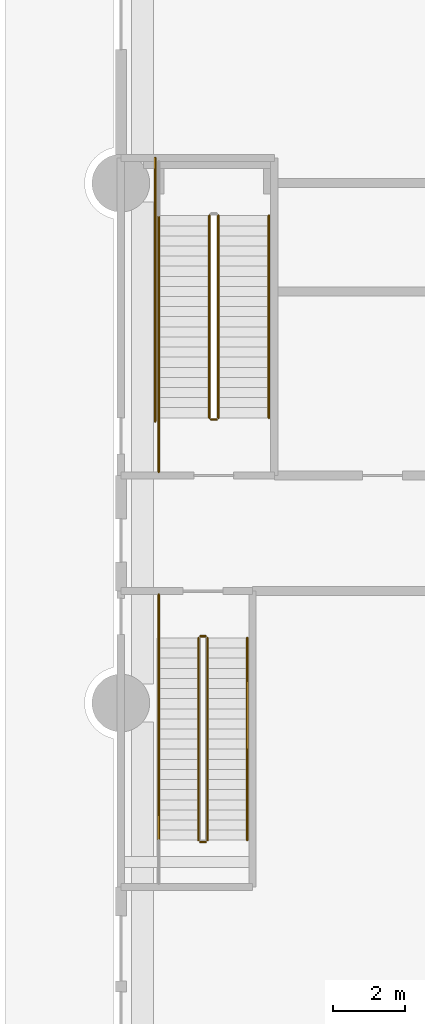
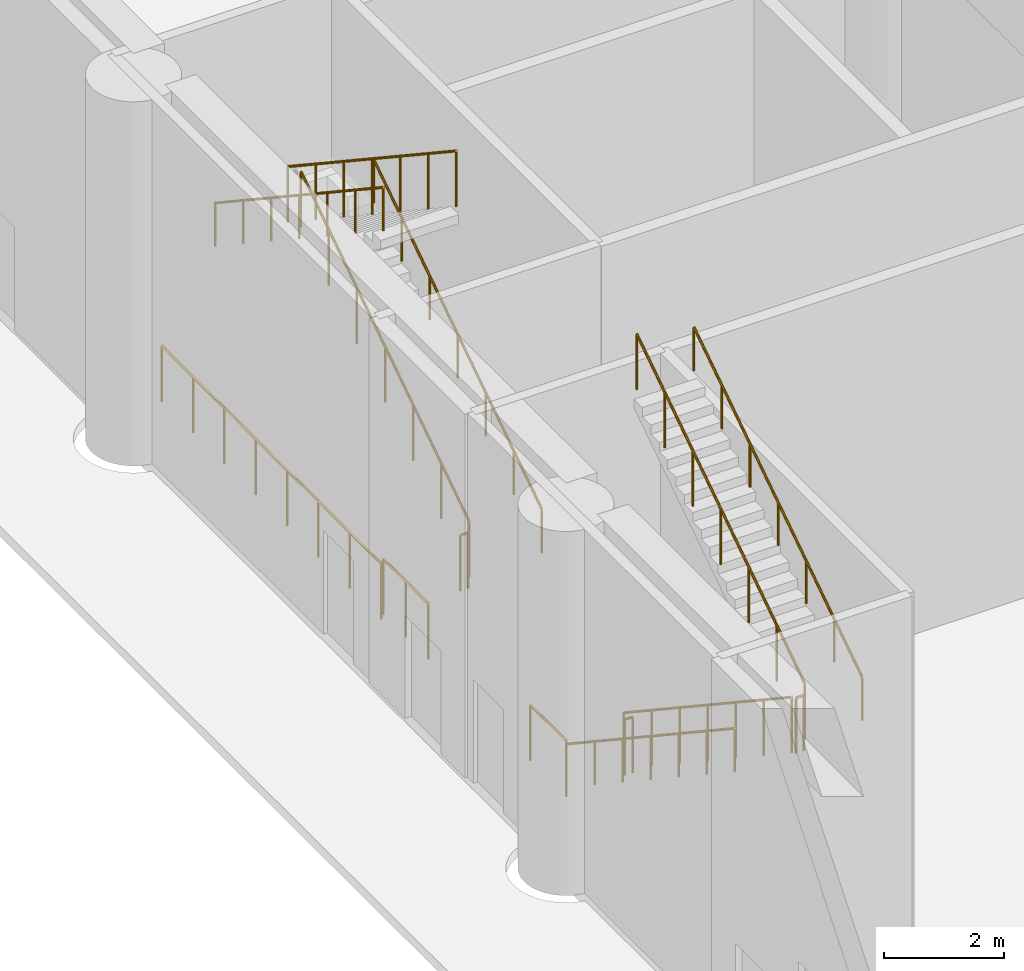
# One storey, part 26 of 32: 14 railings.
"""IFC4 building model written with IfcOpenShell, lengths in metres."""

from ifc_helpers import new_model, si_unit, direction, frame, origin, origin_2d, place, context, subcontext, project, spatial, circle, extrude, material, type_object, element, save


model = new_model("IFC4")

# Units and contexts
model_context = context("Model", 3, precision=1e-05, world=origin(), true_north=direction((0.0, 1.0)))
body_context = subcontext(model_context, "Body", "Model", "MODEL_VIEW")
ifc_project = project(units=[si_unit("LENGTHUNIT", "METRE"), si_unit("AREAUNIT", "SQUARE_METRE"), si_unit("VOLUMEUNIT", "CUBIC_METRE"), si_unit("PLANEANGLEUNIT", "RADIAN"), si_unit("MASSUNIT", "GRAM", prefix="KILO")], contexts=[model_context])

# Site, building, storey
site_placement = place(None, origin())
site = spatial("IfcSite", under=ifc_project, at=site_placement, CompositionType="ELEMENT")
building_placement = place(site_placement, origin())
building = spatial("IfcBuilding", under=site, at=building_placement, Name="Saffron Iwan Residences", CompositionType="ELEMENT")
storey_placement = place(building_placement, origin())
storey = spatial("IfcBuildingStorey", under=building, at=storey_placement, Name="L00", CompositionType="ELEMENT", Elevation=0.0)

# Railings
ifc_material = material(Name="Steel S355", Category="steel")
railing_type_1 = type_object("IfcRailingType", Name="Podium stair guard 1150", PredefinedType="GUARDRAIL", material=ifc_material)
railing_1_placement = place(storey_placement, frame((2.14990234375, 49.800048828125, 0.185791015625)))
element("IfcRailing", 1, at=railing_1_placement, inside=storey, type_object=railing_type_1, Name="L00 PS1 stair guard 1", PredefinedType="GUARDRAIL", context=body_context, shape_type="SweptSolid", body=[
    extrude(circle(Radius=0.02392578125, at=origin_2d()), frame((0.0, 0.0, 1.1259765625), z_axis=(0.0, -0.833372625111, 0.552711559238), x_axis=(1.0, 0.0, 0.0)), (0.0, 0.0, 1.0), 6.7197265625),
    extrude(circle(Radius=0.02099609375, at=origin_2d()), origin(), (0.0, 0.0, 1.0), 1.101806640625),
    extrude(circle(Radius=0.02099609375, at=origin_2d()), frame((0.0, -0.933349609375, 0.619140625)), (0.0, 0.0, 1.0), 1.101806640625),
    extrude(circle(Radius=0.02099609375, at=origin_2d()), frame((0.0, -1.86669921875, 1.238037109375)), (0.0, 0.0, 1.0), 1.101806640625),
    extrude(circle(Radius=0.02099609375, at=origin_2d()), frame((0.0, -2.800048828125, 1.85693359375)), (0.0, 0.0, 1.0), 1.101806640625),
    extrude(circle(Radius=0.02099609375, at=origin_2d()), frame((0.0, -3.7333984375, 2.47607421875)), (0.0, 0.0, 1.0), 1.101806640625),
    extrude(circle(Radius=0.02099609375, at=origin_2d()), frame((0.0, -4.666748046875, 3.09521484375)), (0.0, 0.0, 1.0), 1.101806640625),
    extrude(circle(Radius=0.02099609375, at=origin_2d()), frame((0.0, -5.60009765625, 3.714111328125)), (0.0, 0.0, 1.0), 1.101806640625),
])
railing_2_placement = place(storey_placement, frame((2.199951171875, 44.14990234375, 3.89990234375)))
element("IfcRailing", 2, at=railing_2_placement, inside=storey, type_object=railing_type_1, Name="L00 PS1 stair guard 2", PredefinedType="GUARDRAIL", context=body_context, shape_type="SweptSolid", body=[
    extrude(circle(Radius=0.02392578125, at=origin_2d()), frame((0.0, 0.0, 1.1259765625), z_axis=(1.0, 0.0, 0.0), x_axis=(0.0, 1.0, 0.0)), (0.0, 0.0, 1.0), 0.150146484375),
    extrude(circle(Radius=0.02099609375, at=origin_2d()), origin(), (0.0, 0.0, 1.0), 1.101806640625),
    extrude(circle(Radius=0.02099609375, at=origin_2d()), frame((0.150146484375, 0.0, 0.0)), (0.0, 0.0, 1.0), 1.101806640625),
])
railing_3_placement = place(storey_placement, frame((2.39990234375, 44.199951171875, 4.085693359375)))
element("IfcRailing", 3, at=railing_3_placement, inside=storey, type_object=railing_type_1, Name="L00 PS1 stair guard 4", PredefinedType="GUARDRAIL", context=body_context, shape_type="SweptSolid", body=[
    extrude(circle(Radius=0.02392578125, at=origin_2d()), frame((0.0, 0.0, 1.1259765625), z_axis=(0.0, 0.833355890229, 0.552736791087), x_axis=(-1.0, 0.0, 0.0)), (0.0, 0.0, 1.0), 6.719970703125),
    extrude(circle(Radius=0.02099609375, at=origin_2d()), origin(), (0.0, 0.0, 1.0), 1.101806640625),
    extrude(circle(Radius=0.02099609375, at=origin_2d()), frame((0.0, 0.933349609375, 0.619140625)), (0.0, 0.0, 1.0), 1.101806640625),
    extrude(circle(Radius=0.02099609375, at=origin_2d()), frame((0.0, 1.86669921875, 1.238037109375)), (0.0, 0.0, 1.0), 1.101806640625),
    extrude(circle(Radius=0.02099609375, at=origin_2d()), frame((0.0, 2.800048828125, 1.857177734375)), (0.0, 0.0, 1.0), 1.101806640625),
    extrude(circle(Radius=0.02099609375, at=origin_2d()), frame((0.0, 3.7333984375, 2.476318359375)), (0.0, 0.0, 1.0), 1.101806640625),
    extrude(circle(Radius=0.02099609375, at=origin_2d()), frame((0.0, 4.666748046875, 3.09521484375)), (0.0, 0.0, 1.0), 1.101806640625),
    extrude(circle(Radius=0.02099609375, at=origin_2d()), frame((0.0, 5.60009765625, 3.71435546875)), (0.0, 0.0, 1.0), 1.101806640625),
])
railing_4_placement = place(storey_placement, frame((2.199951171875, 49.85009765625, 0.0)))
element("IfcRailing", 4, at=railing_4_placement, inside=storey, type_object=railing_type_1, Name="L00 PS1 stair guard 5", PredefinedType="GUARDRAIL", context=body_context, shape_type="SweptSolid", body=[
    extrude(circle(Radius=0.02392578125, at=origin_2d()), frame((0.0, 0.0, 1.1259765625), z_axis=(1.0, 0.0, 0.0), x_axis=(0.0, 1.0, 0.0)), (0.0, 0.0, 1.0), 0.150146484375),
    extrude(circle(Radius=0.02099609375, at=origin_2d()), origin(), (0.0, 0.0, 1.0), 1.101806640625),
    extrude(circle(Radius=0.02099609375, at=origin_2d()), frame((0.150146484375, 0.0, 0.0)), (0.0, 0.0, 1.0), 1.101806640625),
])
railing_5_placement = place(storey_placement, frame((1.050048828125, 51.0, 0.0)))
element("IfcRailing", 5, at=railing_5_placement, inside=storey, type_object=railing_type_1, Name="L00 PS1 stair guard 6", PredefinedType="GUARDRAIL", context=body_context, shape_type="SweptSolid", body=[
    extrude(circle(Radius=0.02392578125, at=origin_2d()), frame((0.0, 0.0, 1.1259765625), z_axis=(0.0, -1.0, 0.0), x_axis=(1.0, 0.0, 0.0)), (0.0, 0.0, 1.0), 1.199951171875),
    extrude(circle(Radius=0.02099609375, at=origin_2d()), origin(), (0.0, 0.0, 1.0), 1.101806640625),
    extrude(circle(Radius=0.02099609375, at=origin_2d()), frame((0.0, -1.199951171875, 0.0)), (0.0, 0.0, 1.0), 1.101806640625),
])
railing_6_placement = place(storey_placement, frame((2.699951171875, 55.89990234375, 0.185791015625)))
element("IfcRailing", 6, at=railing_6_placement, inside=storey, type_object=railing_type_1, Name="L00 PS3 stair guard 1", PredefinedType="GUARDRAIL", context=body_context, shape_type="SweptSolid", body=[
    extrude(circle(Radius=0.02392578125, at=origin_2d()), frame((0.0, 0.0, 1.1259765625), z_axis=(0.0, 0.833372625111, 0.552711559238), x_axis=(-1.0, 0.0, 0.0)), (0.0, 0.0, 1.0), 6.7197265625),
    extrude(circle(Radius=0.02099609375, at=origin_2d()), origin(), (0.0, 0.0, 1.0), 1.101806640625),
    extrude(circle(Radius=0.02099609375, at=origin_2d()), frame((0.0, 0.933349609375, 0.619140625)), (0.0, 0.0, 1.0), 1.101806640625),
    extrude(circle(Radius=0.02099609375, at=origin_2d()), frame((0.0, 1.86669921875, 1.238037109375)), (0.0, 0.0, 1.0), 1.101806640625),
    extrude(circle(Radius=0.02099609375, at=origin_2d()), frame((0.0, 2.800048828125, 1.85693359375)), (0.0, 0.0, 1.0), 1.101806640625),
    extrude(circle(Radius=0.02099609375, at=origin_2d()), frame((0.0, 3.7333984375, 2.47607421875)), (0.0, 0.0, 1.0), 1.101806640625),
    extrude(circle(Radius=0.02099609375, at=origin_2d()), frame((0.0, 4.666748046875, 3.09521484375)), (0.0, 0.0, 1.0), 1.101806640625),
    extrude(circle(Radius=0.02099609375, at=origin_2d()), frame((0.0, 5.60009765625, 3.714111328125)), (0.0, 0.0, 1.0), 1.101806640625),
])
railing_7_placement = place(storey_placement, frame((2.449951171875, 61.5, 4.085693359375)))
element("IfcRailing", 7, at=railing_7_placement, inside=storey, type_object=railing_type_1, Name="L00 PS3 stair guard 4", PredefinedType="GUARDRAIL", context=body_context, shape_type="SweptSolid", body=[
    extrude(circle(Radius=0.02392578125, at=origin_2d()), frame((0.0, 0.0, 1.1259765625), z_axis=(0.0, -0.833355890229, 0.552736791087), x_axis=(1.0, 0.0, 0.0)), (0.0, 0.0, 1.0), 6.719970703125),
    extrude(circle(Radius=0.02099609375, at=origin_2d()), origin(), (0.0, 0.0, 1.0), 1.101806640625),
    extrude(circle(Radius=0.02099609375, at=origin_2d()), frame((0.0, -0.933349609375, 0.619140625)), (0.0, 0.0, 1.0), 1.101806640625),
    extrude(circle(Radius=0.02099609375, at=origin_2d()), frame((0.0, -1.86669921875, 1.238037109375)), (0.0, 0.0, 1.0), 1.101806640625),
    extrude(circle(Radius=0.02099609375, at=origin_2d()), frame((0.0, -2.800048828125, 1.857177734375)), (0.0, 0.0, 1.0), 1.101806640625),
    extrude(circle(Radius=0.02099609375, at=origin_2d()), frame((0.0, -3.7333984375, 2.476318359375)), (0.0, 0.0, 1.0), 1.101806640625),
    extrude(circle(Radius=0.02099609375, at=origin_2d()), frame((0.0, -4.666748046875, 3.09521484375)), (0.0, 0.0, 1.0), 1.101806640625),
    extrude(circle(Radius=0.02099609375, at=origin_2d()), frame((0.0, -5.60009765625, 3.71435546875)), (0.0, 0.0, 1.0), 1.101806640625),
])
railing_8_placement = place(storey_placement, frame((2.64990234375, 55.85009765625, 0.0)))
element("IfcRailing", 8, at=railing_8_placement, inside=storey, type_object=railing_type_1, Name="L00 PS3 stair guard 5", PredefinedType="GUARDRAIL", context=body_context, shape_type="SweptSolid", body=[
    extrude(circle(Radius=0.02392578125, at=origin_2d()), frame((0.0, 0.0, 1.1259765625), z_axis=(-1.0, 0.0, 0.0), x_axis=(0.0, -1.0, 0.0)), (0.0, 0.0, 1.0), 0.14990234375),
    extrude(circle(Radius=0.02099609375, at=origin_2d()), origin(), (0.0, 0.0, 1.0), 1.101806640625),
    extrude(circle(Radius=0.02099609375, at=origin_2d()), frame((-0.14990234375, 0.0, 0.0)), (0.0, 0.0, 1.0), 1.101806640625),
])
railing_9_placement = place(storey_placement, frame((1.050048828125, 54.39990234375, 0.0)))
element("IfcRailing", 9, at=railing_9_placement, inside=storey, type_object=railing_type_1, Name="L00 PS3 stair guard 6", PredefinedType="GUARDRAIL", context=body_context, shape_type="SweptSolid", body=[
    extrude(circle(Radius=0.02392578125, at=origin_2d()), frame((0.0, 0.0, 1.1259765625), z_axis=(0.0, 1.0, 0.0), x_axis=(-1.0, 0.0, 0.0)), (0.0, 0.0, 1.0), 1.5),
    extrude(circle(Radius=0.02099609375, at=origin_2d()), origin(), (0.0, 0.0, 1.0), 1.101806640625),
    extrude(circle(Radius=0.02099609375, at=origin_2d()), frame((0.0, 0.75, 0.0)), (0.0, 0.0, 1.0), 1.101806640625),
    extrude(circle(Radius=0.02099609375, at=origin_2d()), frame((0.0, 1.5, 0.0)), (0.0, 0.0, 1.0), 1.101806640625),
])
railing_10_placement = place(storey_placement, frame((0.949951171875, 55.800048828125, 0.0)))
element("IfcRailing", 10, at=railing_10_placement, inside=storey, type_object=railing_type_1, Name="L00 PS3 stair guard 7", PredefinedType="GUARDRAIL", context=body_context, shape_type="SweptSolid", body=[
    extrude(circle(Radius=0.02392578125, at=origin_2d()), frame((0.0, 0.0, 1.1259765625), z_axis=(0.0, 1.0, 0.0), x_axis=(-1.0, 0.0, 0.0)), (0.0, 0.0, 1.0), 7.300048828125),
    extrude(circle(Radius=0.02099609375, at=origin_2d()), origin(), (0.0, 0.0, 1.0), 1.101806640625),
    extrude(circle(Radius=0.02099609375, at=origin_2d()), frame((0.0, 1.04296875, 0.0)), (0.0, 0.0, 1.0), 1.101806640625),
    extrude(circle(Radius=0.02099609375, at=origin_2d()), frame((0.0, 2.085693359375, 0.0)), (0.0, 0.0, 1.0), 1.101806640625),
    extrude(circle(Radius=0.02099609375, at=origin_2d()), frame((0.0, 3.128662109375, 0.0)), (0.0, 0.0, 1.0), 1.101806640625),
    extrude(circle(Radius=0.02099609375, at=origin_2d()), frame((0.0, 4.17138671875, 0.0)), (0.0, 0.0, 1.0), 1.101806640625),
    extrude(circle(Radius=0.02099609375, at=origin_2d()), frame((0.0, 5.21435546875, 0.0)), (0.0, 0.0, 1.0), 1.101806640625),
    extrude(circle(Radius=0.02099609375, at=origin_2d()), frame((0.0, 6.257080078125, 0.0)), (0.0, 0.0, 1.0), 1.101806640625),
    extrude(circle(Radius=0.02099609375, at=origin_2d()), frame((0.0, 7.300048828125, 0.0)), (0.0, 0.0, 1.0), 1.101806640625),
])
railing_type_2 = type_object("IfcRailingType", Name="Podium stair handrail 900", PredefinedType="HANDRAIL", material=ifc_material)
railing_11_placement = place(storey_placement, frame((1.050048828125, 49.800048828125, 0.185791015625)))
element("IfcRailing", 11, at=railing_11_placement, inside=storey, type_object=railing_type_2, Name="L00 PS1 stair handrail 1", PredefinedType="HANDRAIL", context=body_context, shape_type="SweptSolid", body=[
    extrude(circle(Radius=0.02392578125, at=origin_2d()), frame((0.0, 0.0, 0.8759765625), z_axis=(0.0, -0.833372625111, 0.552711559238), x_axis=(1.0, 0.0, 0.0)), (0.0, 0.0, 1.0), 6.7197265625),
    extrude(circle(Radius=0.02099609375, at=origin_2d()), origin(), (0.0, 0.0, 1.0), 0.851806640625),
    extrude(circle(Radius=0.02099609375, at=origin_2d()), frame((0.0, -0.933349609375, 0.619140625)), (0.0, 0.0, 1.0), 0.851806640625),
    extrude(circle(Radius=0.02099609375, at=origin_2d()), frame((0.0, -1.86669921875, 1.238037109375)), (0.0, 0.0, 1.0), 0.851806640625),
    extrude(circle(Radius=0.02099609375, at=origin_2d()), frame((0.0, -2.800048828125, 1.85693359375)), (0.0, 0.0, 1.0), 0.851806640625),
    extrude(circle(Radius=0.02099609375, at=origin_2d()), frame((0.0, -3.7333984375, 2.47607421875)), (0.0, 0.0, 1.0), 0.851806640625),
    extrude(circle(Radius=0.02099609375, at=origin_2d()), frame((0.0, -4.666748046875, 3.09521484375)), (0.0, 0.0, 1.0), 0.851806640625),
    extrude(circle(Radius=0.02099609375, at=origin_2d()), frame((0.0, -5.60009765625, 3.714111328125)), (0.0, 0.0, 1.0), 0.851806640625),
])
railing_12_placement = place(storey_placement, frame((3.5, 44.199951171875, 4.085693359375)))
element("IfcRailing", 12, at=railing_12_placement, inside=storey, type_object=railing_type_2, Name="L00 PS1 stair handrail 2", PredefinedType="HANDRAIL", context=body_context, shape_type="SweptSolid", body=[
    extrude(circle(Radius=0.02392578125, at=origin_2d()), frame((0.0, 0.0, 0.8759765625), z_axis=(0.0, 0.833355890229, 0.552736791087), x_axis=(-1.0, 0.0, 0.0)), (0.0, 0.0, 1.0), 6.719970703125),
    extrude(circle(Radius=0.02099609375, at=origin_2d()), origin(), (0.0, 0.0, 1.0), 0.851806640625),
    extrude(circle(Radius=0.02099609375, at=origin_2d()), frame((0.0, 0.933349609375, 0.619140625)), (0.0, 0.0, 1.0), 0.851806640625),
    extrude(circle(Radius=0.02099609375, at=origin_2d()), frame((0.0, 1.86669921875, 1.238037109375)), (0.0, 0.0, 1.0), 0.851806640625),
    extrude(circle(Radius=0.02099609375, at=origin_2d()), frame((0.0, 2.800048828125, 1.857177734375)), (0.0, 0.0, 1.0), 0.851806640625),
    extrude(circle(Radius=0.02099609375, at=origin_2d()), frame((0.0, 3.7333984375, 2.476318359375)), (0.0, 0.0, 1.0), 0.851806640625),
    extrude(circle(Radius=0.02099609375, at=origin_2d()), frame((0.0, 4.666748046875, 3.09521484375)), (0.0, 0.0, 1.0), 0.851806640625),
    extrude(circle(Radius=0.02099609375, at=origin_2d()), frame((0.0, 5.60009765625, 3.71435546875)), (0.0, 0.0, 1.0), 0.851806640625),
])
railing_13_placement = place(storey_placement, frame((4.10009765625, 55.89990234375, 0.185791015625)))
element("IfcRailing", 13, at=railing_13_placement, inside=storey, type_object=railing_type_2, Name="L00 PS3 stair handrail 1", PredefinedType="HANDRAIL", context=body_context, shape_type="SweptSolid", body=[
    extrude(circle(Radius=0.02392578125, at=origin_2d()), frame((0.0, 0.0, 0.8759765625), z_axis=(0.0, 0.833372625111, 0.552711559238), x_axis=(-1.0, 0.0, 0.0)), (0.0, 0.0, 1.0), 6.7197265625),
    extrude(circle(Radius=0.02099609375, at=origin_2d()), origin(), (0.0, 0.0, 1.0), 0.851806640625),
    extrude(circle(Radius=0.02099609375, at=origin_2d()), frame((0.0, 0.933349609375, 0.619140625)), (0.0, 0.0, 1.0), 0.851806640625),
    extrude(circle(Radius=0.02099609375, at=origin_2d()), frame((0.0, 1.86669921875, 1.238037109375)), (0.0, 0.0, 1.0), 0.851806640625),
    extrude(circle(Radius=0.02099609375, at=origin_2d()), frame((0.0, 2.800048828125, 1.85693359375)), (0.0, 0.0, 1.0), 0.851806640625),
    extrude(circle(Radius=0.02099609375, at=origin_2d()), frame((0.0, 3.7333984375, 2.47607421875)), (0.0, 0.0, 1.0), 0.851806640625),
    extrude(circle(Radius=0.02099609375, at=origin_2d()), frame((0.0, 4.666748046875, 3.09521484375)), (0.0, 0.0, 1.0), 0.851806640625),
    extrude(circle(Radius=0.02099609375, at=origin_2d()), frame((0.0, 5.60009765625, 3.714111328125)), (0.0, 0.0, 1.0), 0.851806640625),
])
railing_14_placement = place(storey_placement, frame((1.050048828125, 61.5, 4.085693359375)))
element("IfcRailing", 14, at=railing_14_placement, inside=storey, type_object=railing_type_2, Name="L00 PS3 stair handrail 2", PredefinedType="HANDRAIL", context=body_context, shape_type="SweptSolid", body=[
    extrude(circle(Radius=0.02392578125, at=origin_2d()), frame((0.0, 0.0, 0.8759765625), z_axis=(0.0, -0.833355890229, 0.552736791087), x_axis=(1.0, 0.0, 0.0)), (0.0, 0.0, 1.0), 6.719970703125),
    extrude(circle(Radius=0.02099609375, at=origin_2d()), origin(), (0.0, 0.0, 1.0), 0.851806640625),
    extrude(circle(Radius=0.02099609375, at=origin_2d()), frame((0.0, -0.933349609375, 0.619140625)), (0.0, 0.0, 1.0), 0.851806640625),
    extrude(circle(Radius=0.02099609375, at=origin_2d()), frame((0.0, -1.86669921875, 1.238037109375)), (0.0, 0.0, 1.0), 0.851806640625),
    extrude(circle(Radius=0.02099609375, at=origin_2d()), frame((0.0, -2.800048828125, 1.857177734375)), (0.0, 0.0, 1.0), 0.851806640625),
    extrude(circle(Radius=0.02099609375, at=origin_2d()), frame((0.0, -3.7333984375, 2.476318359375)), (0.0, 0.0, 1.0), 0.851806640625),
    extrude(circle(Radius=0.02099609375, at=origin_2d()), frame((0.0, -4.666748046875, 3.09521484375)), (0.0, 0.0, 1.0), 0.851806640625),
    extrude(circle(Radius=0.02099609375, at=origin_2d()), frame((0.0, -5.60009765625, 3.71435546875)), (0.0, 0.0, 1.0), 0.851806640625),
])

save(model, "model.ifc")
